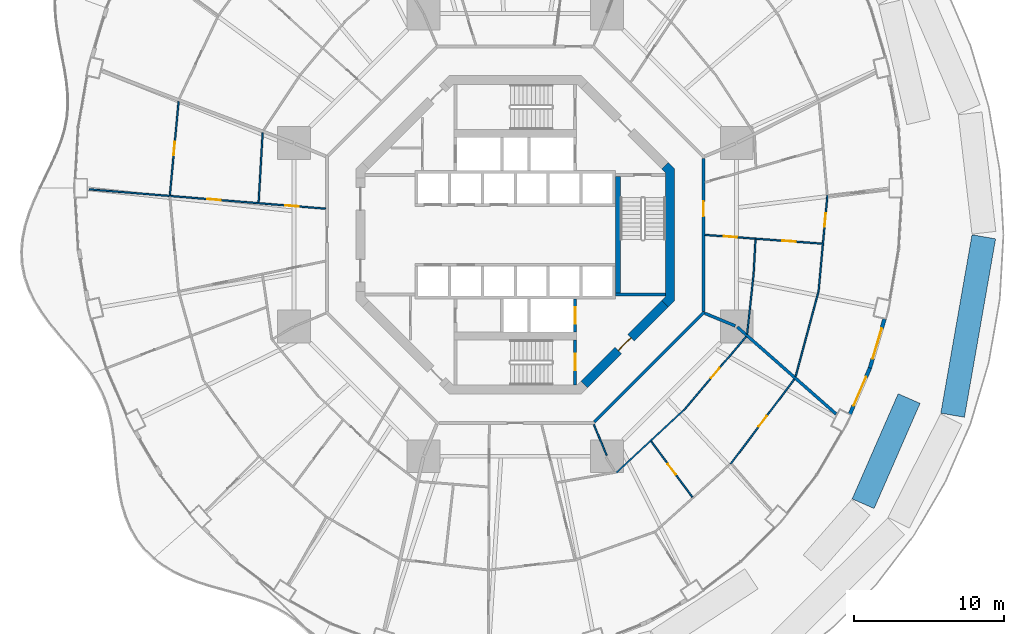
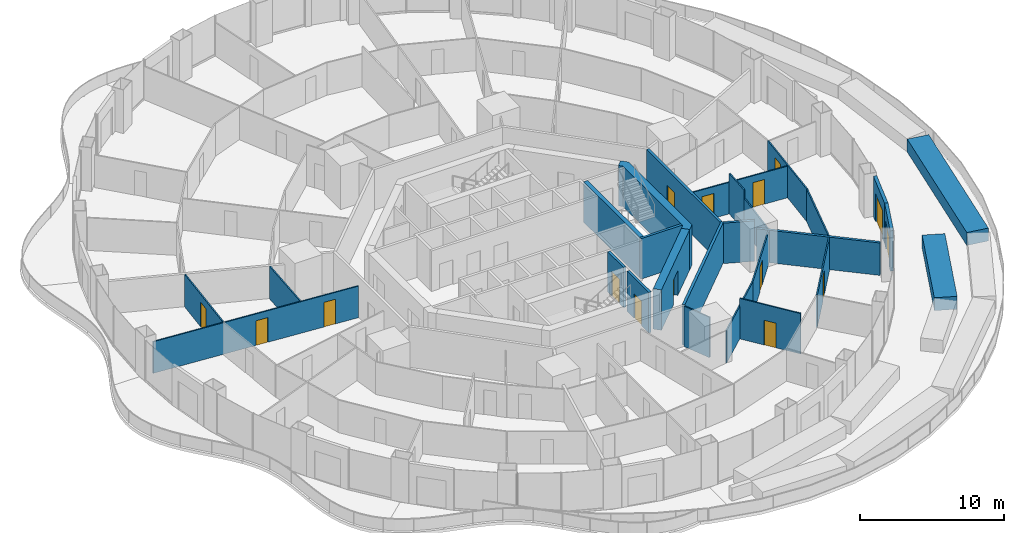
# One storey, part 16 of 22: 27 walls, 15 doors, 15 openings.
"""IFC4 building model written with IfcOpenShell, lengths in metres."""

from ifc_helpers import new_model, si_unit, direction, frame, frame_2d, origin, place, context, subcontext, project, spatial, polyline, rectangle, outline, extrude, material, layer, layer_set, type_object, element, fill, save


model = new_model("IFC4")

# Units and contexts
model_context = context("Model", 3, precision=1e-05, world=origin(), true_north=direction((0.0, 1.0)))
body_context = subcontext(model_context, "Body", "Model", "MODEL_VIEW")
ifc_project = project(units=[si_unit("LENGTHUNIT", "METRE"), si_unit("AREAUNIT", "SQUARE_METRE"), si_unit("VOLUMEUNIT", "CUBIC_METRE"), si_unit("PLANEANGLEUNIT", "RADIAN"), si_unit("MASSUNIT", "GRAM", prefix="KILO")], contexts=[model_context])

# Site, building, storey
site_placement = place(None, origin())
site = spatial("IfcSite", under=ifc_project, at=site_placement, CompositionType="ELEMENT")
building_placement = place(site_placement, origin())
building = spatial("IfcBuilding", under=site, at=building_placement, Name="Nagisa Residences", CompositionType="ELEMENT")
storey_placement = place(building_placement, frame((0.0, 0.0, 73.300048828125)))
storey = spatial("IfcBuildingStorey", under=building, at=storey_placement, Name="L17", CompositionType="ELEMENT", Elevation=73.300048828125)

# Walls
ifc_material_1 = material(Name="Gypsum board on steel studs", Category="steel")
ifc_layer_1 = layer(ifc_material_1, 0.199951171875)
ifc_layer_set_1 = layer_set([ifc_layer_1], Name="Apartment compartment wall EI60 200")
wall_type_1 = type_object("IfcWallType", Name="Apartment compartment wall EI60 200", PredefinedType="PARTITIONING", material=ifc_layer_set_1)
wall_1_placement = place(storey_placement, frame((12.6572265625, -5.24267578125, 0.0), z_axis=(0.0, 0.0, 1.0), x_axis=(0.923876145736, -0.382691608661, 0.0)))
element("IfcWall", 1, at=wall_1_placement, inside=storey, type_object=wall_type_1, Name="wall:L17:u06", PredefinedType="PARTITIONING", context=body_context, shape_type="SweptSolid", body=[
    extrude(rectangle(XDim=2.19970703125, YDim=0.199951171875, at=frame_2d((1.099853515625, 0.0))), origin(), (0.0, 0.0, 1.0), 3.43994140625),
])
wall_2_placement = place(storey_placement, frame((14.819580078125, -6.156005859375, 0.0), z_axis=(0.0, 0.0, 1.0), x_axis=(0.750582231659, -0.660777052808, 0.0)))
element("IfcWall", 2, at=wall_2_placement, inside=storey, type_object=wall_type_1, Name="wall:L17:u07", PredefinedType="PARTITIONING", context=body_context, shape_type="SweptSolid", body=[
    extrude(rectangle(XDim=8.781005859375, YDim=0.199951171875, at=frame_2d((4.390625, 0.0))), origin(), (0.0, 0.0, 1.0), 2.761962890625),
])

# Wall, opening, door
ifc_material_2 = material(Name="Gypsum board on steel studs", Category="steel")
ifc_layer_2 = layer(ifc_material_2, 0.199951171875)
ifc_layer_set_2 = layer_set([ifc_layer_2], Name="Apartment entry wall EI60 200")
wall_type_2 = type_object("IfcWallType", Name="Apartment entry wall EI60 200", PredefinedType="PARTITIONING", material=ifc_layer_set_2)
wall_3_placement = place(storey_placement, frame((12.564697265625, -5.1044921875, 0.0), z_axis=(0.0, 0.0, 1.0), x_axis=(0.0, 1.0, 0.0)))
wall_3 = element("IfcWall", 3, at=wall_3_placement, inside=storey, type_object=wall_type_2, Name="wall:L17:u08", PredefinedType="PARTITIONING", context=body_context, shape_type="SweptSolid", body=[
    extrude(rectangle(XDim=10.208984375, YDim=0.199951171875, at=frame_2d((5.1044921875, 0.0))), origin(), (0.0, 0.0, 1.0), 3.43994140625),
])
opening_1_placement = place(wall_3_placement, frame((6.33935546875, 0.0, 0.0)))
opening_1 = element("IfcOpeningElement", 4, at=opening_1_placement, cuts=wall_3, Name="Opening L17-U48", PredefinedType="OPENING", context=body_context, shape_type="SweptSolid", body=[
    extrude(rectangle(XDim=1.0, YDim=2.10009765625, at=frame_2d((0.5, 1.050048828125))), frame((0.0, 0.10986328125, 0.0), z_axis=(0.0, -1.0, 0.0), x_axis=(1.0, 0.0, 0.0)), (0.0, 0.0, 1.0), 0.219970703125),
])
ifc_material_3 = material(Name="Timber fire door set", Category="wood")
door_type_1 = type_object("IfcDoorType", Name="Apartment entry door FD30S 1000x2100", OperationType="NOTDEFINED", PredefinedType="DOOR", material=ifc_material_3)
door_1_placement = place(opening_1_placement, frame((1.0, 0.0, 0.0), x_axis=(-1.0, 0.0, 0.0)))
door_1 = element("IfcDoor", 5, at=door_1_placement, inside=storey, type_object=door_type_1, Name="Entry door, Apartment 17D", OperationType="SINGLE_SWING_LEFT", OverallHeight=2.10009765625, OverallWidth=1.0, PredefinedType="DOOR", context=body_context, shape_type="SweptSolid", body=[
    extrude(rectangle(XDim=1.0, YDim=2.10009765625, at=frame_2d((0.5, 1.050048828125))), frame((0.0, 0.02490234375, 0.0), z_axis=(0.0, -1.0, 0.0), x_axis=(1.0, 0.0, 0.0)), (0.0, 0.0, 1.0), 0.050048828125),
])
fill(opening_1, door_1)

# Wall
wall_4_placement = place(storey_placement, frame((5.275146484375, -12.494140625, 0.0), z_axis=(0.0, 0.0, 1.0), x_axis=(0.707106781187, 0.707106781187, 0.0)))
element("IfcWall", 6, at=wall_4_placement, inside=storey, type_object=wall_type_2, Name="wall:L17:u15", PredefinedType="PARTITIONING", context=body_context, shape_type="SweptSolid", body=[
    extrude(rectangle(XDim=10.4091796875, YDim=0.199951171875, at=frame_2d((5.20458984375, 0.0))), origin(), (0.0, 0.0, 1.0), 3.43994140625),
])

# Wall, opening, door
ifc_material_4 = material(Name="Gypsum board on steel studs", Category="steel")
ifc_layer_3 = layer(ifc_material_4, 0.10009765625)
ifc_layer_set_3 = layer_set([ifc_layer_3], Name="Apartment partition 100")
wall_type_3 = type_object("IfcWallType", Name="Apartment partition 100", PredefinedType="PARTITIONING", material=ifc_layer_set_3)
wall_5_placement = place(storey_placement, frame((20.833984375, 2.64208984375, 0.0), z_axis=(0.0, 0.0, 1.0), x_axis=(-0.091385407685, -0.995815599025, 0.0)))
wall_5 = element("IfcWall", 7, at=wall_5_placement, inside=storey, type_object=wall_type_3, Name="wall:L17:u18", PredefinedType="PARTITIONING", context=body_context, shape_type="SweptSolid", body=[
    extrude(rectangle(XDim=6.50244140625, YDim=0.10009765625, at=frame_2d((3.251220703125, 0.0))), origin(), (0.0, 0.0, 1.0), 2.761962890625),
])
opening_2_placement = place(wall_5_placement, frame((1.20068359375, 0.0, 0.0)))
opening_2 = element("IfcOpeningElement", 8, at=opening_2_placement, cuts=wall_5, Name="Opening L17-U53", PredefinedType="OPENING", context=body_context, shape_type="SweptSolid", body=[
    extrude(rectangle(XDim=0.89990234375, YDim=2.10009765625, at=frame_2d((0.449951171875, 1.050048828125))), frame((0.0, 0.06005859375, 0.0), z_axis=(0.0, -1.0, 0.0), x_axis=(1.0, 0.0, 0.0)), (0.0, 0.0, 1.0), 0.1201171875),
])
ifc_material_5 = material(Name="Timber door set", Category="wood")
door_type_2 = type_object("IfcDoorType", Name="Apartment door 900x2100", OperationType="NOTDEFINED", PredefinedType="DOOR", material=ifc_material_5)
door_2_placement = place(opening_2_placement, origin())
door_2 = element("IfcDoor", 9, at=door_2_placement, inside=storey, type_object=door_type_2, Name="Door to living room, Apartment 17D", OperationType="SINGLE_SWING_LEFT", OverallHeight=2.10009765625, OverallWidth=0.89990234375, PredefinedType="DOOR", context=body_context, shape_type="SweptSolid", body=[
    extrude(rectangle(XDim=0.89990234375, YDim=2.10009765625, at=frame_2d((0.449951171875, 1.050048828125))), frame((0.0, 0.02490234375, 0.0), z_axis=(0.0, -1.0, 0.0), x_axis=(1.0, 0.0, 0.0)), (0.0, 0.0, 1.0), 0.050048828125),
])
fill(opening_2, door_2)

# Wall
wall_6_placement = place(storey_placement, frame((-16.864501953125, 6.800048828125, 0.0), z_axis=(0.0, 0.0, 1.0), x_axis=(-0.057758567218, -0.998330580476, 0.0)))
element("IfcWall", 10, at=wall_6_placement, inside=storey, type_object=wall_type_3, Name="wall:L17:u53", PredefinedType="PARTITIONING", context=body_context, shape_type="SweptSolid", body=[
    extrude(rectangle(XDim=4.649658203125, YDim=0.10009765625, at=frame_2d((2.32470703125, 0.0))), origin(), (0.0, 0.0, 1.0), 2.761962890625),
])

# Wall, opening, door
wall_7_placement = place(storey_placement, frame((-22.47412109375, 8.897705078125, 0.0), z_axis=(0.0, 0.0, 1.0), x_axis=(-0.092756864489, -0.995688788774, 0.0)))
wall_7 = element("IfcWall", 11, at=wall_7_placement, inside=storey, type_object=wall_type_3, Name="wall:L17:u54", PredefinedType="PARTITIONING", context=body_context, shape_type="SweptSolid", body=[
    extrude(rectangle(XDim=6.28271484375, YDim=0.10009765625, at=frame_2d((3.141357421875, 0.0))), origin(), (0.0, 0.0, 1.0), 2.761962890625),
])
opening_3_placement = place(wall_7_placement, frame((2.69140625, 0.0, 0.0)))
opening_3 = element("IfcOpeningElement", 12, at=opening_3_placement, cuts=wall_7, Name="Opening L17-U27", PredefinedType="OPENING", context=body_context, shape_type="SweptSolid", body=[
    extrude(rectangle(XDim=0.89990234375, YDim=2.10009765625, at=frame_2d((0.449951171875, 1.050048828125))), frame((0.0, 0.06005859375, 0.0), z_axis=(0.0, -1.0, 0.0), x_axis=(1.0, 0.0, 0.0)), (0.0, 0.0, 1.0), 0.1201171875),
])
door_3_placement = place(opening_3_placement, frame((0.89990234375, 0.0, 0.0), x_axis=(-1.0, 0.0, 0.0)))
door_3 = element("IfcDoor", 13, at=door_3_placement, inside=storey, type_object=door_type_2, Name="Door to master bedroom, Apartment 17B", OperationType="SINGLE_SWING_RIGHT", OverallHeight=2.10009765625, OverallWidth=0.89990234375, PredefinedType="DOOR", context=body_context, shape_type="SweptSolid", body=[
    extrude(rectangle(XDim=0.89990234375, YDim=2.10009765625, at=frame_2d((0.449951171875, 1.050048828125))), frame((0.0, 0.02490234375, 0.0), z_axis=(0.0, -1.0, 0.0), x_axis=(1.0, 0.0, 0.0)), (0.0, 0.0, 1.0), 0.050048828125),
])
fill(opening_3, door_3)

# Wall, openings, doors
wall_8_placement = place(storey_placement, frame((-12.66455078125, 1.742919921875, 0.0), z_axis=(0.0, 0.0, 1.0), x_axis=(-0.996680482238, 0.081412630013, 0.0)))
wall_8 = element("IfcWall", 14, at=wall_8_placement, inside=storey, type_object=wall_type_3, Name="wall:L17:u55", PredefinedType="PARTITIONING", context=body_context, shape_type="SweptSolid", body=[
    extrude(rectangle(XDim=15.839599609375, YDim=0.10009765625, at=frame_2d((7.919921875, 0.0))), origin(), (0.0, 0.0, 1.0), 2.68701171875),
])
opening_4_placement = place(wall_8_placement, frame((1.793212890625, 0.0, 0.0)))
opening_4 = element("IfcOpeningElement", 15, at=opening_4_placement, cuts=wall_8, Name="Opening L17-U23", PredefinedType="OPENING", context=body_context, shape_type="SweptSolid", body=[
    extrude(rectangle(XDim=0.89990234375, YDim=2.10009765625, at=frame_2d((0.449951171875, 1.050048828125))), frame((0.0, 0.06005859375, 0.0), z_axis=(0.0, -1.0, 0.0), x_axis=(1.0, 0.0, 0.0)), (0.0, 0.0, 1.0), 0.1201171875),
])
opening_5_placement = place(wall_8_placement, frame((7.009033203125, 0.0, 0.0)))
opening_5 = element("IfcOpeningElement", 16, at=opening_5_placement, cuts=wall_8, Name="Opening L17-U25", PredefinedType="OPENING", context=body_context, shape_type="SweptSolid", body=[
    extrude(rectangle(XDim=0.89990234375, YDim=2.10009765625, at=frame_2d((0.449951171875, 1.050048828125))), frame((0.0, 0.06005859375, 0.0), z_axis=(0.0, -1.0, 0.0), x_axis=(1.0, 0.0, 0.0)), (0.0, 0.0, 1.0), 0.1201171875),
])
door_4_placement = place(opening_4_placement, frame((0.89990234375, 0.0, 0.0), x_axis=(-1.0, 0.0, 0.0)))
door_4 = element("IfcDoor", 17, at=door_4_placement, inside=storey, type_object=door_type_2, Name="Door to store, Apartment 17B", OperationType="SINGLE_SWING_RIGHT", OverallHeight=2.10009765625, OverallWidth=0.89990234375, PredefinedType="DOOR", context=body_context, shape_type="SweptSolid", body=[
    extrude(rectangle(XDim=0.89990234375, YDim=2.10009765625, at=frame_2d((0.449951171875, 1.050048828125))), frame((0.0, 0.02490234375, 0.0), z_axis=(0.0, -1.0, 0.0), x_axis=(1.0, 0.0, 0.0)), (0.0, 0.0, 1.0), 0.050048828125),
])
fill(opening_4, door_4)
door_5_placement = place(opening_5_placement, frame((0.89990234375, 0.0, 0.0), x_axis=(-1.0, 0.0, 0.0)))
door_5 = element("IfcDoor", 18, at=door_5_placement, inside=storey, type_object=door_type_2, Name="Door to study, Apartment 17B", OperationType="SINGLE_SWING_RIGHT", OverallHeight=2.10009765625, OverallWidth=0.89990234375, PredefinedType="DOOR", context=body_context, shape_type="SweptSolid", body=[
    extrude(rectangle(XDim=0.89990234375, YDim=2.10009765625, at=frame_2d((0.449951171875, 1.050048828125))), frame((0.0, 0.02490234375, 0.0), z_axis=(0.0, -1.0, 0.0), x_axis=(1.0, 0.0, 0.0)), (0.0, 0.0, 1.0), 0.050048828125),
])
fill(opening_5, door_5)

# Walls
wall_9_placement = place(storey_placement, frame((5.24267578125, -12.6572265625, 0.0), z_axis=(0.0, 0.0, 1.0), x_axis=(0.382719158442, -0.923864733477, 0.0)))
element("IfcWall", 19, at=wall_9_placement, inside=storey, type_object=wall_type_3, Name="wall:L17:u81", PredefinedType="PARTITIONING", context=body_context, shape_type="SweptSolid", body=[
    extrude(rectangle(XDim=2.25, YDim=0.10009765625, at=frame_2d((1.125, 0.0))), origin(), (0.0, 0.0, 1.0), 3.43994140625),
])
wall_10_placement = place(storey_placement, frame((6.751220703125, -15.870361328125, 0.0), z_axis=(0.0, 0.0, 1.0), x_axis=(0.733003105791, 0.680225291283, 0.0)))
element("IfcWall", 20, at=wall_10_placement, inside=storey, type_object=wall_type_3, Name="wall:L17:u82", PredefinedType="PARTITIONING", context=body_context, shape_type="SweptSolid", body=[
    extrude(rectangle(XDim=6.138427734375, YDim=0.10009765625, at=frame_2d((3.0693359375, 0.0))), origin(), (0.0, 0.0, 1.0), 2.761962890625),
])

# Wall, opening, door
wall_11_placement = place(storey_placement, frame((9.0673828125, -13.788818359375, 0.0), z_axis=(0.0, 0.0, 1.0), x_axis=(0.5958491185, -0.80309640018, 0.0)))
wall_11 = element("IfcWall", 21, at=wall_11_placement, inside=storey, type_object=wall_type_3, Name="wall:L17:u85", PredefinedType="PARTITIONING", context=body_context, shape_type="SweptSolid", body=[
    extrude(rectangle(XDim=4.629638671875, YDim=0.10009765625, at=frame_2d((2.31494140625, 0.0))), origin(), (0.0, 0.0, 1.0), 3.43994140625),
])
opening_6_placement = place(wall_11_placement, frame((1.86474609375, 0.0, 0.0)))
opening_6 = element("IfcOpeningElement", 22, at=opening_6_placement, cuts=wall_11, Name="Opening L17-U41", PredefinedType="OPENING", context=body_context, shape_type="SweptSolid", body=[
    extrude(rectangle(XDim=0.89990234375, YDim=2.10009765625, at=frame_2d((0.449951171875, 1.050048828125))), frame((0.0, 0.06005859375, 0.0), z_axis=(0.0, -1.0, 0.0), x_axis=(1.0, 0.0, 0.0)), (0.0, 0.0, 1.0), 0.1201171875),
])
door_6_placement = place(opening_6_placement, origin())
door_6 = element("IfcDoor", 23, at=door_6_placement, inside=storey, type_object=door_type_2, Name="Door to kitchen, Apartment 17C", OperationType="SINGLE_SWING_LEFT", OverallHeight=2.10009765625, OverallWidth=0.89990234375, PredefinedType="DOOR", context=body_context, shape_type="SweptSolid", body=[
    extrude(rectangle(XDim=0.89990234375, YDim=2.10009765625, at=frame_2d((0.449951171875, 1.050048828125))), frame((0.0, 0.02490234375, 0.0), z_axis=(0.0, -1.0, 0.0), x_axis=(1.0, 0.0, 0.0)), (0.0, 0.0, 1.0), 0.050048828125),
])
fill(opening_6, door_6)

wall_12_placement = place(storey_placement, frame((11.2548828125, -11.698974609375, 0.0), z_axis=(0.0, 0.0, 1.0), x_axis=(0.646107653745, 0.763246290375, 0.0)))
wall_12 = element("IfcWall", 24, at=wall_12_placement, inside=storey, type_object=wall_type_3, Name="wall:L17:u86", PredefinedType="PARTITIONING", context=body_context, shape_type="SweptSolid", body=[
    extrude(rectangle(XDim=6.417236328125, YDim=0.10009765625, at=frame_2d((3.20849609375, 0.0))), origin(), (0.0, 0.0, 1.0), 2.761962890625),
])
opening_7_placement = place(wall_12_placement, frame((2.78369140625, 0.0, 0.0)))
opening_7 = element("IfcOpeningElement", 25, at=opening_7_placement, cuts=wall_12, Name="Opening L17-U45", PredefinedType="OPENING", context=body_context, shape_type="SweptSolid", body=[
    extrude(rectangle(XDim=0.89990234375, YDim=2.10009765625, at=frame_2d((0.449951171875, 1.050048828125))), frame((0.0, 0.06005859375, 0.0), z_axis=(0.0, -1.0, 0.0), x_axis=(1.0, 0.0, 0.0)), (0.0, 0.0, 1.0), 0.1201171875),
])
door_7_placement = place(opening_7_placement, origin())
door_7 = element("IfcDoor", 26, at=door_7_placement, inside=storey, type_object=door_type_2, Name="Door to store, Apartment 17C", OperationType="SINGLE_SWING_LEFT", OverallHeight=2.10009765625, OverallWidth=0.89990234375, PredefinedType="DOOR", context=body_context, shape_type="SweptSolid", body=[
    extrude(rectangle(XDim=0.89990234375, YDim=2.10009765625, at=frame_2d((0.449951171875, 1.050048828125))), frame((0.0, 0.02490234375, 0.0), z_axis=(0.0, -1.0, 0.0), x_axis=(1.0, 0.0, 0.0)), (0.0, 0.0, 1.0), 0.050048828125),
])
fill(opening_7, door_7)

wall_13_placement = place(storey_placement, frame((14.371826171875, -15.299560546875, 0.0), z_axis=(0.0, 0.0, 1.0), x_axis=(0.600987107857, 0.79925871668, 0.0)))
wall_13 = element("IfcWall", 27, at=wall_13_placement, inside=storey, type_object=wall_type_3, Name="wall:L17:u88", PredefinedType="PARTITIONING", context=body_context, shape_type="SweptSolid", body=[
    extrude(rectangle(XDim=7.080322265625, YDim=0.10009765625, at=frame_2d((3.5400390625, 0.0))), origin(), (0.0, 0.0, 1.0), 2.761962890625),
])
opening_8_placement = place(wall_13_placement, frame((3.114990234375, 0.0, 0.0)))
opening_8 = element("IfcOpeningElement", 28, at=opening_8_placement, cuts=wall_13, Name="Opening L17-U44", PredefinedType="OPENING", context=body_context, shape_type="SweptSolid", body=[
    extrude(rectangle(XDim=0.89990234375, YDim=2.10009765625, at=frame_2d((0.449951171875, 1.050048828125))), frame((0.0, 0.06005859375, 0.0), z_axis=(0.0, -1.0, 0.0), x_axis=(1.0, 0.0, 0.0)), (0.0, 0.0, 1.0), 0.1201171875),
])
door_8_placement = place(opening_8_placement, frame((0.89990234375, 0.0, 0.0), x_axis=(-1.0, 0.0, 0.0)))
door_8 = element("IfcDoor", 29, at=door_8_placement, inside=storey, type_object=door_type_2, Name="Door to bedroom, Apartment 17C", OperationType="SINGLE_SWING_LEFT", OverallHeight=2.10009765625, OverallWidth=0.89990234375, PredefinedType="DOOR", context=body_context, shape_type="SweptSolid", body=[
    extrude(rectangle(XDim=0.89990234375, YDim=2.10009765625, at=frame_2d((0.449951171875, 1.050048828125))), frame((0.0, 0.02490234375, 0.0), z_axis=(0.0, -1.0, 0.0), x_axis=(1.0, 0.0, 0.0)), (0.0, 0.0, 1.0), 0.050048828125),
])
fill(opening_8, door_8)

# Walls
wall_14_placement = place(storey_placement, frame((15.4765625, -6.62548828125, 0.0), z_axis=(0.0, 0.0, 1.0), x_axis=(0.107561928907, 0.994198386365, 0.0)))
element("IfcWall", 30, at=wall_14_placement, inside=storey, type_object=wall_type_3, Name="wall:L17:u89", PredefinedType="PARTITIONING", context=body_context, shape_type="SweptSolid", body=[
    extrude(rectangle(XDim=4.072021484375, YDim=0.10009765625, at=frame_2d((2.0361328125, 0.0))), origin(), (0.0, 0.0, 1.0), 2.761962890625),
])
wall_15_placement = place(storey_placement, frame((18.713134765625, -9.464111328125, 0.0), z_axis=(0.0, 0.0, 1.0), x_axis=(0.260279646259, 0.965533275316, 0.0)))
element("IfcWall", 31, at=wall_15_placement, inside=storey, type_object=wall_type_3, Name="wall:L17:u90", PredefinedType="PARTITIONING", context=body_context, shape_type="SweptSolid", body=[
    extrude(rectangle(XDim=5.83349609375, YDim=0.10009765625, at=frame_2d((2.916748046875, 0.0))), origin(), (0.0, 0.0, 1.0), 2.761962890625),
])
wall_16_placement = place(storey_placement, frame((15.911865234375, -2.5771484375, 0.0), z_axis=(0.0, 0.0, 1.0), x_axis=(0.053749298185, 0.998554461682, 0.0)))
element("IfcWall", 32, at=wall_16_placement, inside=storey, type_object=wall_type_3, Name="wall:L17:u91", PredefinedType="PARTITIONING", context=body_context, shape_type="SweptSolid", body=[
    extrude(rectangle(XDim=2.27099609375, YDim=0.10009765625, at=frame_2d((1.135498046875, 0.0))), origin(), (0.0, 0.0, 1.0), 3.43994140625),
])

# Wall, openings, doors
wall_17_placement = place(storey_placement, frame((12.66455078125, -0.007568359375, 0.0), z_axis=(0.0, 0.0, 1.0), x_axis=(0.997222647159, -0.074478130978, 0.0)))
wall_17 = element("IfcWall", 33, at=wall_17_placement, inside=storey, type_object=wall_type_3, Name="wall:L17:u92", PredefinedType="PARTITIONING", context=body_context, shape_type="SweptSolid", body=[
    extrude(rectangle(XDim=7.84423828125, YDim=0.10009765625, at=frame_2d((3.922119140625, 0.0))), origin(), (0.0, 0.0, 1.0), 2.68701171875),
])
opening_9_placement = place(wall_17_placement, frame((1.24072265625, 0.0, 0.0)))
opening_9 = element("IfcOpeningElement", 34, at=opening_9_placement, cuts=wall_17, Name="Opening L17-U49", PredefinedType="OPENING", context=body_context, shape_type="SweptSolid", body=[
    extrude(rectangle(XDim=0.89990234375, YDim=2.10009765625, at=frame_2d((0.449951171875, 1.050048828125))), frame((0.0, 0.06005859375, 0.0), z_axis=(0.0, -1.0, 0.0), x_axis=(1.0, 0.0, 0.0)), (0.0, 0.0, 1.0), 0.1201171875),
])
opening_10_placement = place(wall_17_placement, frame((5.162841796875, 0.0, 0.0)))
opening_10 = element("IfcOpeningElement", 35, at=opening_10_placement, cuts=wall_17, Name="Opening L17-U51", PredefinedType="OPENING", context=body_context, shape_type="SweptSolid", body=[
    extrude(rectangle(XDim=0.89990234375, YDim=2.10009765625, at=frame_2d((0.449951171875, 1.050048828125))), frame((0.0, 0.06005859375, 0.0), z_axis=(0.0, -1.0, 0.0), x_axis=(1.0, 0.0, 0.0)), (0.0, 0.0, 1.0), 0.1201171875),
])
door_9_placement = place(opening_9_placement, frame((0.89990234375, 0.0, 0.0), x_axis=(-1.0, 0.0, 0.0)))
door_9 = element("IfcDoor", 36, at=door_9_placement, inside=storey, type_object=door_type_2, Name="Door to laundry, Apartment 17D", OperationType="SINGLE_SWING_RIGHT", OverallHeight=2.10009765625, OverallWidth=0.89990234375, PredefinedType="DOOR", context=body_context, shape_type="SweptSolid", body=[
    extrude(rectangle(XDim=0.89990234375, YDim=2.10009765625, at=frame_2d((0.449951171875, 1.050048828125))), frame((0.0, 0.02490234375, 0.0), z_axis=(0.0, -1.0, 0.0), x_axis=(1.0, 0.0, 0.0)), (0.0, 0.0, 1.0), 0.050048828125),
])
fill(opening_9, door_9)
door_10_placement = place(opening_10_placement, frame((0.89990234375, 0.0, 0.0), x_axis=(-1.0, 0.0, 0.0)))
door_10 = element("IfcDoor", 37, at=door_10_placement, inside=storey, type_object=door_type_2, Name="Door to kitchen, Apartment 17D", OperationType="SINGLE_SWING_RIGHT", OverallHeight=2.10009765625, OverallWidth=0.89990234375, PredefinedType="DOOR", context=body_context, shape_type="SweptSolid", body=[
    extrude(rectangle(XDim=0.89990234375, YDim=2.10009765625, at=frame_2d((0.449951171875, 1.050048828125))), frame((0.0, 0.02490234375, 0.0), z_axis=(0.0, -1.0, 0.0), x_axis=(1.0, 0.0, 0.0)), (0.0, 0.0, 1.0), 0.050048828125),
])
fill(opening_10, door_10)

# Wall, opening, door
ifc_material_6 = material(Name="Precast concrete C40/50", Category="concrete")
ifc_layer_4 = layer(ifc_material_6, 0.25)
ifc_layer_set_4 = layer_set([ifc_layer_4], Name="BALCONY DOOR WALL 250")
wall_type_4 = type_object("IfcWallType", Name="BALCONY DOOR WALL 250", PredefinedType="SOLIDWALL", material=ifc_layer_set_4)
wall_18_placement = place(storey_placement, frame((23.672119140625, -8.892822265625, 0.0), z_axis=(0.0, 0.0, 1.0), x_axis=(-0.397621629246, -0.917549475481, 0.0)))
wall_18 = element("IfcWall", 38, at=wall_18_placement, inside=storey, type_object=wall_type_4, Name="wall:L17:bay44", PredefinedType="SOLIDWALL", context=body_context, shape_type="SweptSolid", body=[
    extrude(rectangle(XDim=3.37939453125, YDim=0.25, at=frame_2d((1.689697265625, 0.0))), origin(), (0.0, 0.0, 1.0), 3.43994140625),
])
opening_11_placement = place(wall_18_placement, frame((0.6396484375, 0.0, 0.0)))
opening_11 = element("IfcOpeningElement", 39, at=opening_11_placement, cuts=wall_18, Name="Opening BD-L17-15", PredefinedType="OPENING", context=body_context, shape_type="SweptSolid", body=[
    extrude(rectangle(XDim=2.10009765625, YDim=2.39990234375, at=frame_2d((1.050048828125, 1.199951171875))), frame((0.0, 0.135009765625, 0.0), z_axis=(0.0, -1.0, 0.0), x_axis=(1.0, 0.0, 0.0)), (0.0, 0.0, 1.0), 0.27001953125),
])
ifc_material_7 = material(Name="Aluminium and clear glass", Category="aluminium")
door_type_3 = type_object("IfcDoorType", Name="BALCONY SLIDING DOOR 2100x2400", OperationType="SLIDING_TO_LEFT", PredefinedType="DOOR", material=ifc_material_7)
door_11_placement = place(opening_11_placement, origin())
door_11 = element("IfcDoor", 40, at=door_11_placement, inside=storey, type_object=door_type_3, Name="door:L17:bay44", OperationType="SLIDING_TO_LEFT", OverallHeight=2.39990234375, OverallWidth=2.10009765625, PredefinedType="DOOR", context=body_context, shape_type="SweptSolid", body=[
    extrude(rectangle(XDim=2.10009765625, YDim=2.39990234375, at=frame_2d((1.050048828125, 1.199951171875))), frame((0.0, 0.02490234375, 0.0), z_axis=(0.0, -1.0, 0.0), x_axis=(1.0, 0.0, 0.0)), (0.0, 0.0, 1.0), 0.050048828125),
])
fill(opening_11, door_11)

wall_19_placement = place(storey_placement, frame((24.645751953125, -5.626220703125, 0.0), z_axis=(0.0, 0.0, 1.0), x_axis=(-0.285901631201, -0.958258971926, 0.0)))
wall_19 = element("IfcWall", 41, at=wall_19_placement, inside=storey, type_object=wall_type_4, Name="wall:L17:bay45", PredefinedType="SOLIDWALL", context=body_context, shape_type="SweptSolid", body=[
    extrude(rectangle(XDim=3.42333984375, YDim=0.25, at=frame_2d((1.711669921875, 0.0))), origin(), (0.0, 0.0, 1.0), 3.43994140625),
])
opening_12_placement = place(wall_19_placement, frame((0.661865234375, 0.0, 0.0)))
opening_12 = element("IfcOpeningElement", 42, at=opening_12_placement, cuts=wall_19, Name="Opening BD-L17-16", PredefinedType="OPENING", context=body_context, shape_type="SweptSolid", body=[
    extrude(rectangle(XDim=2.10009765625, YDim=2.39990234375, at=frame_2d((1.050048828125, 1.199951171875))), frame((0.0, 0.135009765625, 0.0), z_axis=(0.0, -1.0, 0.0), x_axis=(1.0, 0.0, 0.0)), (0.0, 0.0, 1.0), 0.27001953125),
])
door_12_placement = place(opening_12_placement, origin())
door_12 = element("IfcDoor", 43, at=door_12_placement, inside=storey, type_object=door_type_3, Name="door:L17:bay45", OperationType="SLIDING_TO_LEFT", OverallHeight=2.39990234375, OverallWidth=2.10009765625, PredefinedType="DOOR", context=body_context, shape_type="SweptSolid", body=[
    extrude(rectangle(XDim=2.10009765625, YDim=2.39990234375, at=frame_2d((1.050048828125, 1.199951171875))), frame((0.0, 0.02490234375, 0.0), z_axis=(0.0, -1.0, 0.0), x_axis=(1.0, 0.0, 0.0)), (0.0, 0.0, 1.0), 0.050048828125),
])
fill(opening_12, door_12)

ifc_material_8 = material(Name="Concrete C60", Category="concrete")
ifc_layer_5 = layer(ifc_material_8, 0.60009765625)
ifc_layer_set_5 = layer_set([ifc_layer_5], Name="Core shear wall 600")
wall_type_5 = type_object("IfcWallType", Name="Core shear wall 600", PredefinedType="SHEAR", material=ifc_layer_set_5)
wall_20_placement = place(storey_placement, frame((4.613037109375, -9.98828125, 0.0), z_axis=(0.0, 0.0, 1.0), x_axis=(0.707106781187, 0.707106781187, 0.0)))
wall_20 = element("IfcWall", 44, at=wall_20_placement, inside=storey, type_object=wall_type_5, Name="wall:L17:core:flat7", PredefinedType="SHEAR", context=body_context, shape_type="SweptSolid", body=[
    extrude(rectangle(XDim=7.601806640625, YDim=0.60009765625, at=frame_2d((3.80078125, 0.0))), origin(), (0.0, 0.0, 1.0), 3.43994140625),
])
opening_13_placement = place(wall_20_placement, frame((3.200927734375, 0.0, 0.0)))
opening_13 = element("IfcOpeningElement", 45, at=opening_13_placement, cuts=wall_20, Name="Opening L17-C17", PredefinedType="OPENING", context=body_context, shape_type="SweptSolid", body=[
    extrude(rectangle(XDim=1.199951171875, YDim=2.10009765625, at=frame_2d((0.60009765625, 1.050048828125))), frame((0.0, 0.31005859375, 0.0), z_axis=(0.0, -1.0, 0.0), x_axis=(1.0, 0.0, 0.0)), (0.0, 0.0, 1.0), 0.6201171875),
])
ifc_material_9 = material(Name="Steel fire door", Category="steel")
door_type_4 = type_object("IfcDoorType", Name="Fire door EI60 1200x2100 single swing", OperationType="NOTDEFINED", PredefinedType="DOOR", material=ifc_material_9)
door_13_placement = place(opening_13_placement, origin())
door_13 = element("IfcDoor", 46, at=door_13_placement, inside=storey, type_object=door_type_4, Name="Firefighting lobby 2 door L17", OperationType="SINGLE_SWING_LEFT", OverallHeight=2.10009765625, OverallWidth=1.199951171875, PredefinedType="DOOR", context=body_context, shape_type="SweptSolid", body=[
    extrude(rectangle(XDim=1.199951171875, YDim=2.10009765625, at=frame_2d((0.60009765625, 1.050048828125))), frame((0.0, 0.02490234375, 0.0), z_axis=(0.0, -1.0, 0.0), x_axis=(1.0, 0.0, 0.0)), (0.0, 0.0, 1.0), 0.050048828125),
])
fill(opening_13, door_13)

# Wall
wall_21_placement = place(storey_placement, origin())
element("IfcWall", 47, at=wall_21_placement, inside=storey, type_object=wall_type_5, Name="wall:L17:core:flat0", PredefinedType="SHEAR", context=body_context, shape_type="SweptSolid", body=[
    extrude(outline(polyline([(9.776123046875, -4.40087890625), (10.024658203125, -4.15234375), (10.024658203125, -3.801025390625), (10.024658203125, 4.15234375), (9.776123046875, 4.40087890625), (10.200439453125, 4.8251953125), (10.62451171875, 4.40087890625), (10.62451171875, -4.40087890625), (10.200439453125, -4.8251953125), (9.776123046875, -4.40087890625)])), origin(), (0.0, 0.0, 1.0), 3.43994140625),
])

# Wall, opening, door
ifc_material_10 = material(Name="Concrete C60", Category="concrete")
ifc_layer_6 = layer(ifc_material_10, 0.199951171875)
ifc_layer_set_6 = layer_set([ifc_layer_6], Name="Lift shaft wall 200")
wall_type_6 = type_object("IfcWallType", Name="Lift shaft wall 200", PredefinedType="SOLIDWALL", material=ifc_layer_set_6)
wall_22_placement = place(storey_placement, frame((4.0, -6.5, 0.0), z_axis=(0.0, 0.0, 1.0), x_axis=(0.0, 1.0, 0.0)))
wall_22 = element("IfcWall", 48, at=wall_22_placement, inside=storey, type_object=wall_type_6, Name="wall:L17:Sb3", PredefinedType="SOLIDWALL", context=body_context, shape_type="SweptSolid", body=[
    extrude(rectangle(XDim=2.199951171875, YDim=0.199951171875, at=frame_2d((1.10009765625, 0.0))), origin(), (0.0, 0.0, 1.0), 3.43994140625),
])
opening_14_placement = place(wall_22_placement, frame((0.550048828125, 0.0, 0.0)))
opening_14 = element("IfcOpeningElement", 49, at=opening_14_placement, cuts=wall_22, Name="Opening L17-C07", PredefinedType="OPENING", context=body_context, shape_type="SweptSolid", body=[
    extrude(rectangle(XDim=1.10009765625, YDim=2.10009765625, at=frame_2d((0.550048828125, 1.050048828125))), frame((0.0, 0.10986328125, 0.0), z_axis=(0.0, -1.0, 0.0), x_axis=(1.0, 0.0, 0.0)), (0.0, 0.0, 1.0), 0.219970703125),
])
ifc_material_11 = material(Name="Stainless steel", Category="steel")
door_type_5 = type_object("IfcDoorType", Name="Lift landing door 1100x2100", OperationType="DOUBLE_DOOR_SLIDING", PredefinedType="DOOR", material=ifc_material_11)
door_14_placement = place(opening_14_placement, origin())
door_14 = element("IfcDoor", 50, at=door_14_placement, inside=storey, type_object=door_type_5, Name="Landing door FL2 L17", OperationType="DOUBLE_DOOR_SLIDING", OverallHeight=2.10009765625, OverallWidth=1.10009765625, PredefinedType="DOOR", context=body_context, shape_type="SweptSolid", body=[
    extrude(rectangle(XDim=1.10009765625, YDim=2.10009765625, at=frame_2d((0.550048828125, 1.050048828125))), frame((0.0, 0.02490234375, 0.0), z_axis=(0.0, -1.0, 0.0), x_axis=(1.0, 0.0, 0.0)), (0.0, 0.0, 1.0), 0.050048828125),
])
fill(opening_14, door_14)

# Walls
ifc_material_12 = material(Name="Precast concrete C30/37", Category="concrete")
ifc_layer_7 = layer(ifc_material_12, 1.60009765625)
ifc_layer_set_7 = layer_set([ifc_layer_7], Name="PLANTER")
wall_type_7 = type_object("IfcWallType", Name="PLANTER", PredefinedType="SOLIDWALL", material=ifc_layer_set_7)
wall_23_placement = place(storey_placement, frame((31.2744140625, -0.134033203125, 0.0), z_axis=(0.0, 0.0, 1.0), x_axis=(-0.172143771607, -0.985071835907, 0.0)))
element("IfcWall", 51, at=wall_23_placement, inside=storey, type_object=wall_type_7, Name="planter:L17:garden012", PredefinedType="SOLIDWALL", context=body_context, shape_type="SweptSolid", body=[
    extrude(rectangle(XDim=12.091796875, YDim=1.60009765625, at=frame_2d((6.0458984375, 0.0))), origin(), (0.0, 0.0, 1.0), 1.099853515625),
])
wall_24_placement = place(storey_placement, frame((23.21923828125, -17.95361328125, 0.0), z_axis=(0.0, 0.0, 1.0), x_axis=(0.40049126799, 0.916300575283, 0.0)))
element("IfcWall", 52, at=wall_24_placement, inside=storey, type_object=wall_type_7, Name="planter:L17:garden114", PredefinedType="SOLIDWALL", context=body_context, shape_type="SweptSolid", body=[
    extrude(rectangle(XDim=7.663818359375, YDim=1.60009765625, at=frame_2d((3.83203125, 0.0))), origin(), (0.0, 0.0, 1.0), 1.099853515625),
])

# Wall, opening, door
ifc_material_13 = material(Name="Concrete C60", Category="concrete")
ifc_layer_8 = layer(ifc_material_13, 0.199951171875)
ifc_layer_set_8 = layer_set([ifc_layer_8], Name="Stair enclosure wall 200")
wall_type_8 = type_object("IfcWallType", Name="Stair enclosure wall 200", PredefinedType="SOLIDWALL", material=ifc_layer_set_8)
wall_25_placement = place(storey_placement, frame((4.0, -10.024658203125, 0.0), z_axis=(0.0, 0.0, 1.0), x_axis=(0.0, 1.0, 0.0)))
wall_25 = element("IfcWall", 53, at=wall_25_placement, inside=storey, type_object=wall_type_8, Name="wall:L17:SS_e", PredefinedType="SOLIDWALL", context=body_context, shape_type="SweptSolid", body=[
    extrude(rectangle(XDim=3.0, YDim=0.199951171875, at=frame_2d((1.5, 0.0))), origin(), (0.0, 0.0, 1.0), 3.43994140625),
])
opening_15_placement = place(wall_25_placement, frame((0.974609375, 0.0, 0.0)))
opening_15 = element("IfcOpeningElement", 54, at=opening_15_placement, cuts=wall_25, Name="Opening L17-C11", PredefinedType="OPENING", context=body_context, shape_type="SweptSolid", body=[
    extrude(rectangle(XDim=1.10009765625, YDim=2.10009765625, at=frame_2d((0.550048828125, 1.050048828125))), frame((0.0, 0.10986328125, 0.0), z_axis=(0.0, -1.0, 0.0), x_axis=(1.0, 0.0, 0.0)), (0.0, 0.0, 1.0), 0.219970703125),
])
ifc_material_14 = material(Name="Steel fire door", Category="steel")
door_type_6 = type_object("IfcDoorType", Name="Fire door EI90 1100x2100 single swing", OperationType="NOTDEFINED", PredefinedType="DOOR", material=ifc_material_14)
door_15_placement = place(opening_15_placement, origin())
door_15 = element("IfcDoor", 55, at=door_15_placement, inside=storey, type_object=door_type_6, Name="Stair door ST-S L17", OperationType="SINGLE_SWING_RIGHT", OverallHeight=2.10009765625, OverallWidth=1.10009765625, PredefinedType="DOOR", context=body_context, shape_type="SweptSolid", body=[
    extrude(rectangle(XDim=1.10009765625, YDim=2.10009765625, at=frame_2d((0.550048828125, 1.050048828125))), frame((0.0, 0.02490234375, 0.0), z_axis=(0.0, -1.0, 0.0), x_axis=(1.0, 0.0, 0.0)), (0.0, 0.0, 1.0), 0.050048828125),
])
fill(opening_15, door_15)

# Walls
wall_26_placement = place(storey_placement, origin())
element("IfcWall", 56, at=wall_26_placement, inside=storey, type_object=wall_type_8, Name="wall:L17:SE_w", PredefinedType="SOLIDWALL", context=body_context, shape_type="SweptSolid", body=[
    extrude(outline(polyline([(7.024658203125, -3.89990234375), (6.699951171875, -3.89990234375), (6.699951171875, 3.89990234375), (7.024658203125, 3.89990234375), (7.024658203125, -3.89990234375)])), origin(), (0.0, 0.0, 1.0), 3.43994140625),
])
wall_27_placement = place(storey_placement, origin())
element("IfcWall", 57, at=wall_27_placement, inside=storey, type_object=wall_type_8, Name="wall:L17:SE_s", PredefinedType="SOLIDWALL", context=body_context, shape_type="SweptSolid", body=[
    extrude(outline(polyline([(10.024658203125, -4.10009765625), (6.699951171875, -4.10009765625), (6.699951171875, -3.89990234375), (10.024658203125, -3.89990234375), (10.024658203125, -4.10009765625)])), origin(), (0.0, 0.0, 1.0), 3.43994140625),
])

save(model, "model.ifc")
